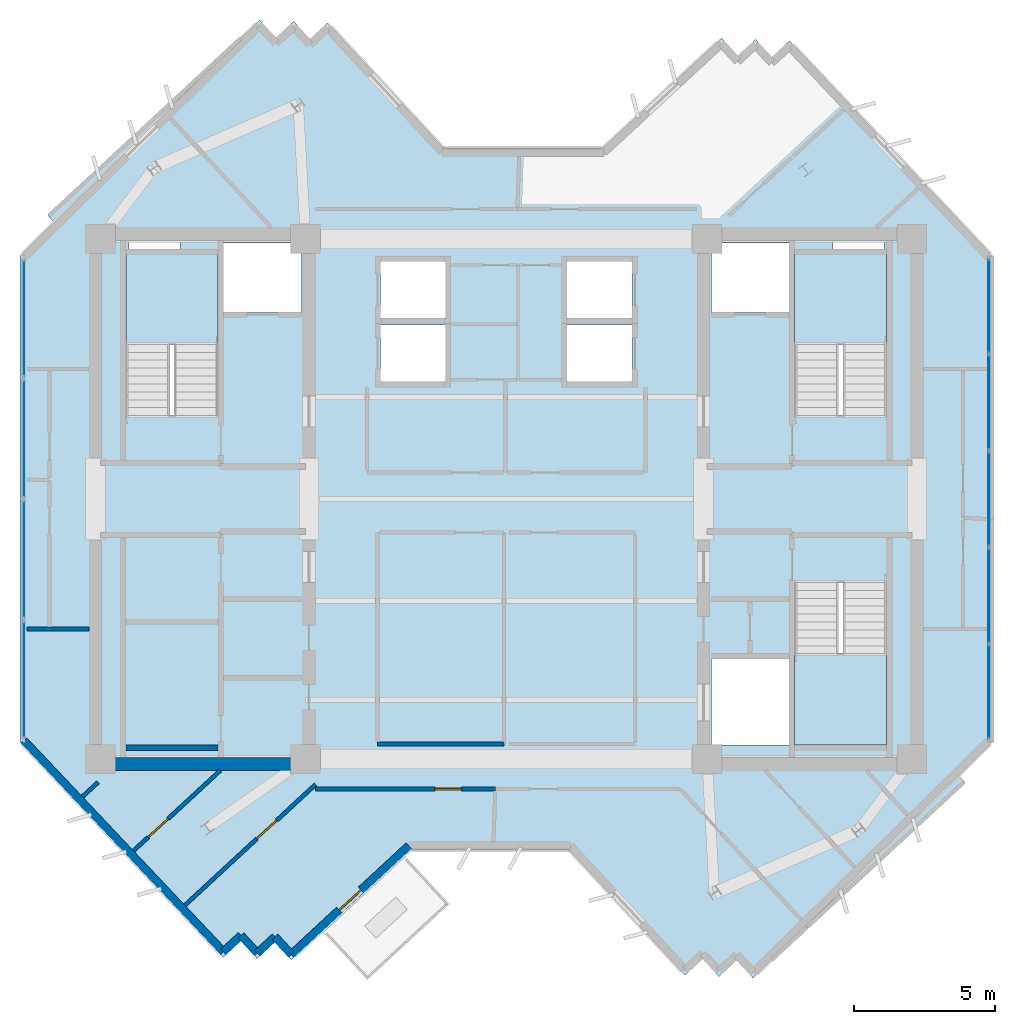
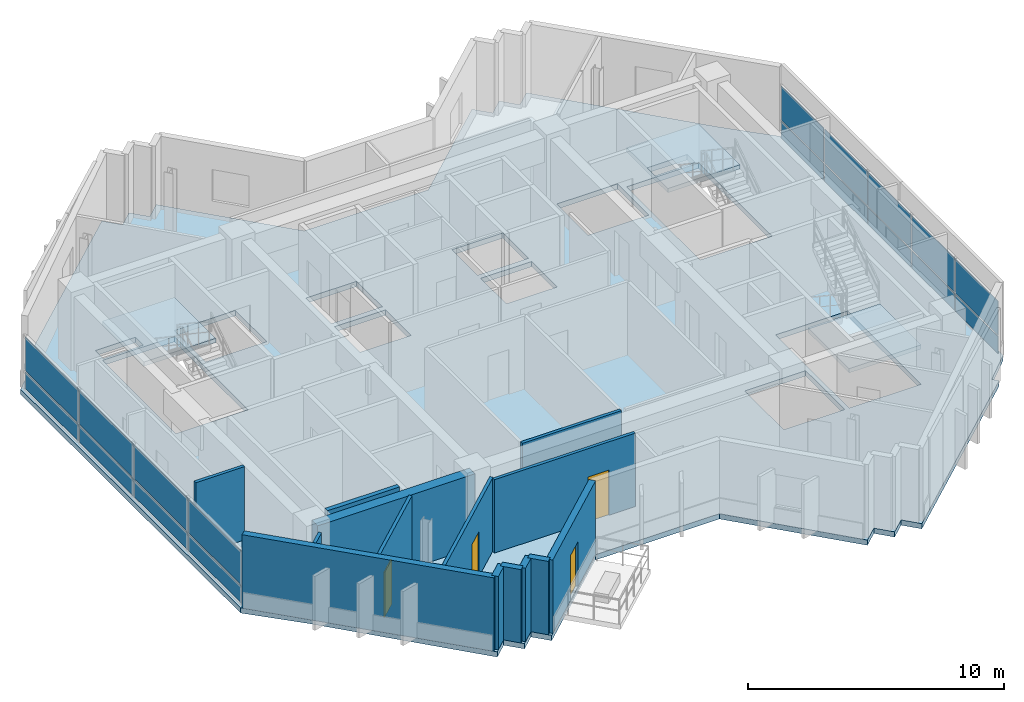
# One storey, part 3 of 9: 18 plates, 14 walls, 4 doors, 4 slabs, 4 openings, 5 elements without a shape of their own.
"""IFC4 building model written with IfcOpenShell, lengths in metres."""

from ifc_helpers import new_model, si_unit, direction, frame, frame_2d, origin, origin_2d, place, context, subcontext, project, spatial, polyline, rectangle, outline, extrude, source, transform, mapped, material, layer, layer_set, type_object, element, fill, aggregate, save


model = new_model("IFC4")

# Units and contexts
model_context = context("Model", 3, precision=1e-05, world=origin(), true_north=direction((0.0, 1.0)))
body_context = subcontext(model_context, "Body", "Model", "MODEL_VIEW")
ifc_project = project(units=[si_unit("LENGTHUNIT", "METRE"), si_unit("AREAUNIT", "SQUARE_METRE"), si_unit("VOLUMEUNIT", "CUBIC_METRE"), si_unit("PLANEANGLEUNIT", "RADIAN"), si_unit("MASSUNIT", "GRAM", prefix="KILO")], contexts=[model_context])

# Site, building, storey
site_placement = place(None, origin())
site = spatial("IfcSite", under=ifc_project, at=site_placement, CompositionType="ELEMENT")
building_placement = place(site_placement, origin())
building = spatial("IfcBuilding", under=site, at=building_placement, Name="Zahravan Cultural Tower", CompositionType="ELEMENT")
storey_placement = place(building_placement, frame((0.0, 0.0, 291.60009765625)))
storey = spatial("IfcBuildingStorey", under=building, at=storey_placement, Name="L70", CompositionType="ELEMENT", Elevation=291.60009765625)

# Stair, slab
ifc_material_1 = material(Name="Concrete C45/55", Category="concrete")
stair_type = type_object("IfcStairType", Name="STR-DL-1550-375", PredefinedType="HALF_TURN_STAIR", material=ifc_material_1)
stair_1_placement = place(storey_placement, origin())
stair_1 = element("IfcStair", 1, at=stair_1_placement, inside=storey, type_object=stair_type, Name="L70 West Core North Exit Stair ST-W1", PredefinedType="HALF_TURN_STAIR")
ifc_layer_1 = layer(ifc_material_1, 0.199951171875)
ifc_layer_set_1 = layer_set([ifc_layer_1], Name="Concrete C45/55")
slab_type_1 = type_object("IfcSlabType", Name="SL-STAIR-LND200", PredefinedType="LANDING", material=ifc_layer_set_1)
slab_1_placement = place(storey_placement, frame((0.0, 0.0, 1.6748046875)))
slab_1 = element("IfcSlab", 2, at=slab_1_placement, type_object=slab_type_1, Name="ST-W1 landing 1", PredefinedType="LANDING", context=body_context, shape_type="SweptSolid", body=[
    extrude(outline(polyline([(25.800048828125, 32.469970703125), (25.800048828125, 35.699951171875), (22.550048828125, 35.699951171875), (22.550048828125, 32.469970703125), (25.800048828125, 32.469970703125)])), origin(), (0.0, 0.0, 1.0), 0.2001953125),
])
aggregate(stair_1, [slab_1])

stair_2_placement = place(storey_placement, origin())
stair_2 = element("IfcStair", 3, at=stair_2_placement, inside=storey, type_object=stair_type, Name="L70 East Core North Exit Stair ST-E1", PredefinedType="HALF_TURN_STAIR")
slab_2_placement = place(storey_placement, frame((0.0, 0.0, 1.6748046875)))
slab_2 = element("IfcSlab", 4, at=slab_2_placement, type_object=slab_type_1, Name="ST-E1 landing 1", PredefinedType="LANDING", context=body_context, shape_type="SweptSolid", body=[
    extrude(outline(polyline([(49.449951171875, 32.469970703125), (49.449951171875, 35.699951171875), (46.199951171875, 35.699951171875), (46.199951171875, 32.469970703125), (49.449951171875, 32.469970703125)])), origin(), (0.0, 0.0, 1.0), 0.2001953125),
])
aggregate(stair_2, [slab_2])

stair_3_placement = place(storey_placement, origin())
stair_3 = element("IfcStair", 5, at=stair_3_placement, inside=storey, type_object=stair_type, Name="L70 East Core South Exit Stair ST-E2", PredefinedType="HALF_TURN_STAIR")
slab_3_placement = place(storey_placement, frame((0.0, 0.0, 1.6748046875)))
slab_3 = element("IfcSlab", 6, at=slab_3_placement, type_object=slab_type_1, Name="ST-E2 landing 1", PredefinedType="LANDING", context=body_context, shape_type="SweptSolid", body=[
    extrude(outline(polyline([(46.199951171875, 21.530029296875), (46.199951171875, 18.300048828125), (49.449951171875, 18.300048828125), (49.449951171875, 21.530029296875), (46.199951171875, 21.530029296875)])), origin(), (0.0, 0.0, 1.0), 0.2001953125),
])
aggregate(stair_3, [slab_3])

# Slab
ifc_material_2 = material(Name="Concrete C40/50", Category="concrete")
ifc_layer_2 = layer(ifc_material_2, 0.25)
ifc_layer_set_2 = layer_set([ifc_layer_2], Name="Concrete C40/50")
slab_type_2 = type_object("IfcSlabType", Name="SL-TYP-250", PredefinedType="FLOOR", material=ifc_layer_set_2)
slab_4_placement = place(storey_placement, frame((0.0, 0.0, -0.25)))
element("IfcSlab", 7, at=slab_4_placement, inside=storey, type_object=slab_type_2, Name="L70 Structural Floor Slab", PredefinedType="FLOOR", context=body_context, shape_type="SweptSolid", body=[
    extrude(outline(polyline([(39.391845703125, 39.39990234375), (33.79345703125, 39.39990234375), (29.6796875, 43.847900390625), (29.0556640625, 43.270751953125), (28.478515625, 43.894775390625), (27.8544921875, 43.3173828125), (27.27734375, 43.94140625), (19.789306640625, 37.015625), (19.994140625, 36.794189453125), (18.800048828125, 35.60009765625), (18.800048828125, 18.39990234375), (20.731689453125, 16.46826171875), (25.984375, 10.789306640625), (26.6083984375, 11.366455078125), (27.185546875, 10.742431640625), (27.8095703125, 11.319580078125), (28.38671875, 10.695556640625), (32.608154296875, 14.60009765625), (38.20654296875, 14.60009765625), (42.3203125, 10.152099609375), (42.9443359375, 10.729248046875), (43.521484375, 10.105224609375), (44.1455078125, 10.6826171875), (44.72265625, 10.05859375), (52.210693359375, 16.984375), (52.005859375, 17.205810546875), (53.199951171875, 18.39990234375), (53.199951171875, 35.60009765625), (51.268310546875, 37.53173828125), (46.015625, 43.210693359375), (45.3916015625, 42.633544921875), (44.814453125, 43.257568359375), (44.1904296875, 42.680419921875), (43.61328125, 43.304443359375), (39.391845703125, 39.39990234375)]), holes=[polyline([(22.550048828125, 29.949951171875), (22.550048828125, 35.699951171875), (25.800048828125, 35.699951171875), (25.800048828125, 29.949951171875), (22.550048828125, 29.949951171875)]), polyline([(46.199951171875, 29.949951171875), (46.199951171875, 35.699951171875), (49.449951171875, 35.699951171875), (49.449951171875, 29.949951171875), (46.199951171875, 29.949951171875)]), polyline([(46.199951171875, 18.300048828125), (46.199951171875, 24.050048828125), (49.449951171875, 24.050048828125), (49.449951171875, 18.300048828125), (46.199951171875, 18.300048828125)]), polyline([(26.0, 33.60009765625), (26.0, 36.050048828125), (28.75, 36.050048828125), (28.75, 33.60009765625), (26.0, 33.60009765625)]), polyline([(43.25, 33.60009765625), (43.25, 36.050048828125), (46.0, 36.050048828125), (46.0, 33.60009765625), (43.25, 33.60009765625)]), polyline([(43.25, 18.300048828125), (43.25, 21.35009765625), (46.0, 21.35009765625), (46.0, 18.300048828125), (43.25, 18.300048828125)]), polyline([(31.550048828125, 33.39990234375), (31.550048828125, 35.39990234375), (33.85009765625, 35.39990234375), (33.85009765625, 33.39990234375), (31.550048828125, 33.39990234375)]), polyline([(31.550048828125, 31.14990234375), (31.550048828125, 33.14990234375), (33.85009765625, 33.14990234375), (33.85009765625, 31.14990234375), (31.550048828125, 31.14990234375)]), polyline([(38.14990234375, 33.39990234375), (38.14990234375, 35.39990234375), (40.449951171875, 35.39990234375), (40.449951171875, 33.39990234375), (38.14990234375, 33.39990234375)]), polyline([(38.14990234375, 31.14990234375), (38.14990234375, 33.14990234375), (40.449951171875, 33.14990234375), (40.449951171875, 31.14990234375), (38.14990234375, 31.14990234375)]), polyline([(22.64990234375, 35.800048828125), (22.64990234375, 36.419921875), (24.449951171875, 36.419921875), (24.449951171875, 35.800048828125), (22.64990234375, 35.800048828125)]), polyline([(47.550048828125, 35.800048828125), (47.550048828125, 36.419921875), (49.35009765625, 36.419921875), (49.35009765625, 35.800048828125), (47.550048828125, 35.800048828125)])]), origin(), (0.0, 0.0, 1.0), 0.25),
])

# Curtain wall, plates
ifc_material_3 = material(Name="Anodised bronze-aluminium mullion", Category="aluminium")
ifc_layer_3 = layer(ifc_material_3, 0.1650390625)
ifc_layer_set_3 = layer_set([ifc_layer_3], Name="Anodised bronze-aluminium mullion")
curtain_wall_type_1 = type_object("IfcCurtainWallType", Name="CW-SYS-4", PredefinedType="USERDEFINED", material=ifc_layer_set_3)
curtain_wall_1_placement = place(storey_placement, origin())
curtain_wall_1 = element("IfcCurtainWall", 8, at=curtain_wall_1_placement, inside=storey, type_object=curtain_wall_type_1, Name="L70 Recessed Curtain Wall CW-4.1", ObjectType="RECESSED GLAZING", PredefinedType="USERDEFINED")
ifc_material_4 = material(Name="Low-E solar-control double glazing", Category="glass")
ifc_layer_4 = layer(ifc_material_4, 0.02587890625)
ifc_layer_set_4 = layer_set([ifc_layer_4], Name="Low-E solar-control double glazing")
plate_type_1 = type_object("IfcPlateType", Name="CWP-CW-4", PredefinedType="CURTAIN_PANEL", material=ifc_layer_set_4)
shared_shape_1 = source(origin(), body_context, "Body", "SweptSolid", [
    extrude(rectangle(XDim=3.3193359375, YDim=0.02587890625, at=origin_2d()), origin(), (0.0, 0.0, 1.0), 0.802490234375),
])
plate_1_placement = place(storey_placement, frame((53.06005859375, 33.8173828125, 0.06494140625), z_axis=(0.0, 0.0, 1.0), x_axis=(0.0, -1.0, 0.0)))
plate_1 = element("IfcPlate", 9, at=plate_1_placement, type_object=plate_type_1, Name="CW-4 panel 1.1", PredefinedType="CURTAIN_PANEL", context=body_context, shape_type="MappedRepresentation", body=[
    mapped(shared_shape_1, transform((0.0, 0.0, 0.0), x_axis=(1.0, 0.0, 0.0), y_axis=(0.0, 1.0, 0.0), z_axis=(0.0, 0.0, 1.0), scale=1.0)),
])
plate_2_placement = place(storey_placement, frame((53.06005859375, 20.1826171875, 0.06494140625), z_axis=(0.0, 0.0, 1.0), x_axis=(0.0, -1.0, 0.0)))
plate_2 = element("IfcPlate", 10, at=plate_2_placement, type_object=plate_type_1, Name="CW-4 panel 5.1", PredefinedType="CURTAIN_PANEL", context=body_context, shape_type="MappedRepresentation", body=[
    mapped(shared_shape_1, transform((0.0, 0.0, 0.0), x_axis=(1.0, 0.0, 0.0), y_axis=(0.0, 1.0, 0.0), z_axis=(0.0, 0.0, 1.0), scale=1.0)),
])
shared_shape_2 = source(origin(), body_context, "Body", "SweptSolid", [
    extrude(rectangle(XDim=3.3193359375, YDim=0.02587890625, at=origin_2d()), origin(), (0.0, 0.0, 1.0), 1.62255859375),
])
plate_3_placement = place(storey_placement, frame((53.06005859375, 33.8173828125, 0.932373046875), z_axis=(0.0, 0.0, 1.0), x_axis=(0.0, -1.0, 0.0)))
plate_3 = element("IfcPlate", 11, at=plate_3_placement, type_object=plate_type_1, Name="CW-4 panel 1.2", PredefinedType="CURTAIN_PANEL", context=body_context, shape_type="MappedRepresentation", body=[
    mapped(shared_shape_2, transform((0.0, 0.0, 0.0), x_axis=(1.0, 0.0, 0.0), y_axis=(0.0, 1.0, 0.0), z_axis=(0.0, 0.0, 1.0), scale=1.0)),
])
plate_4_placement = place(storey_placement, frame((53.06005859375, 20.1826171875, 0.932373046875), z_axis=(0.0, 0.0, 1.0), x_axis=(0.0, -1.0, 0.0)))
plate_4 = element("IfcPlate", 12, at=plate_4_placement, type_object=plate_type_1, Name="CW-4 panel 5.2", PredefinedType="CURTAIN_PANEL", context=body_context, shape_type="MappedRepresentation", body=[
    mapped(shared_shape_2, transform((0.0, 0.0, 0.0), x_axis=(1.0, 0.0, 0.0), y_axis=(0.0, 1.0, 0.0), z_axis=(0.0, 0.0, 1.0), scale=1.0)),
])
shared_shape_3 = source(origin(), body_context, "Body", "SweptSolid", [
    extrude(rectangle(XDim=3.351806640625, YDim=0.02587890625, at=origin_2d()), origin(), (0.0, 0.0, 1.0), 0.802490234375),
])
plate_5_placement = place(storey_placement, frame((53.06005859375, 30.416748046875, 0.06494140625), z_axis=(0.0, 0.0, 1.0), x_axis=(0.0, -1.0, 0.0)))
plate_5 = element("IfcPlate", 13, at=plate_5_placement, type_object=plate_type_1, Name="CW-4 panel 2.1", PredefinedType="CURTAIN_PANEL", context=body_context, shape_type="MappedRepresentation", body=[
    mapped(shared_shape_3, transform((0.0, 0.0, 0.0), x_axis=(1.0, 0.0, 0.0), y_axis=(0.0, 1.0, 0.0), z_axis=(0.0, 0.0, 1.0), scale=1.0)),
])
plate_6_placement = place(storey_placement, frame((53.06005859375, 27.0, 0.06494140625), z_axis=(0.0, 0.0, 1.0), x_axis=(0.0, -1.0, 0.0)))
plate_6 = element("IfcPlate", 14, at=plate_6_placement, type_object=plate_type_1, Name="CW-4 panel 3.1", PredefinedType="CURTAIN_PANEL", context=body_context, shape_type="MappedRepresentation", body=[
    mapped(shared_shape_3, transform((0.0, 0.0, 0.0), x_axis=(1.0, 0.0, 0.0), y_axis=(0.0, 1.0, 0.0), z_axis=(0.0, 0.0, 1.0), scale=1.0)),
])
plate_7_placement = place(storey_placement, frame((53.06005859375, 23.583251953125, 0.06494140625), z_axis=(0.0, 0.0, 1.0), x_axis=(0.0, -1.0, 0.0)))
plate_7 = element("IfcPlate", 15, at=plate_7_placement, type_object=plate_type_1, Name="CW-4 panel 4.1", PredefinedType="CURTAIN_PANEL", context=body_context, shape_type="MappedRepresentation", body=[
    mapped(shared_shape_3, transform((0.0, 0.0, 0.0), x_axis=(1.0, 0.0, 0.0), y_axis=(0.0, 1.0, 0.0), z_axis=(0.0, 0.0, 1.0), scale=1.0)),
])
shared_shape_4 = source(origin(), body_context, "Body", "SweptSolid", [
    extrude(rectangle(XDim=3.351806640625, YDim=0.02587890625, at=origin_2d()), origin(), (0.0, 0.0, 1.0), 1.62255859375),
])
plate_8_placement = place(storey_placement, frame((53.06005859375, 30.416748046875, 0.932373046875), z_axis=(0.0, 0.0, 1.0), x_axis=(0.0, -1.0, 0.0)))
plate_8 = element("IfcPlate", 16, at=plate_8_placement, type_object=plate_type_1, Name="CW-4 panel 2.2", PredefinedType="CURTAIN_PANEL", context=body_context, shape_type="MappedRepresentation", body=[
    mapped(shared_shape_4, transform((0.0, 0.0, 0.0), x_axis=(1.0, 0.0, 0.0), y_axis=(0.0, 1.0, 0.0), z_axis=(0.0, 0.0, 1.0), scale=1.0)),
])
plate_9_placement = place(storey_placement, frame((53.06005859375, 27.0, 0.932373046875), z_axis=(0.0, 0.0, 1.0), x_axis=(0.0, -1.0, 0.0)))
plate_9 = element("IfcPlate", 17, at=plate_9_placement, type_object=plate_type_1, Name="CW-4 panel 3.2", PredefinedType="CURTAIN_PANEL", context=body_context, shape_type="MappedRepresentation", body=[
    mapped(shared_shape_4, transform((0.0, 0.0, 0.0), x_axis=(1.0, 0.0, 0.0), y_axis=(0.0, 1.0, 0.0), z_axis=(0.0, 0.0, 1.0), scale=1.0)),
])
plate_10_placement = place(storey_placement, frame((53.06005859375, 23.583251953125, 0.932373046875), z_axis=(0.0, 0.0, 1.0), x_axis=(0.0, -1.0, 0.0)))
plate_10 = element("IfcPlate", 18, at=plate_10_placement, type_object=plate_type_1, Name="CW-4 panel 4.2", PredefinedType="CURTAIN_PANEL", context=body_context, shape_type="MappedRepresentation", body=[
    mapped(shared_shape_4, transform((0.0, 0.0, 0.0), x_axis=(1.0, 0.0, 0.0), y_axis=(0.0, 1.0, 0.0), z_axis=(0.0, 0.0, 1.0), scale=1.0)),
])
aggregate(curtain_wall_1, [plate_1, plate_3, plate_5, plate_8, plate_6, plate_9, plate_7, plate_10, plate_2, plate_4])

ifc_layer_5 = layer(ifc_material_3, 0.219970703125)
ifc_layer_set_5 = layer_set([ifc_layer_5], Name="Anodised bronze-aluminium mullion")
curtain_wall_type_2 = type_object("IfcCurtainWallType", Name="CW-SYS-1", PredefinedType="USERDEFINED", material=ifc_layer_set_5)
curtain_wall_2_placement = place(storey_placement, origin())
curtain_wall_2 = element("IfcCurtainWall", 19, at=curtain_wall_2_placement, inside=storey, type_object=curtain_wall_type_2, Name="L70 Recessed Curtain Wall CW-1.2", ObjectType="RECESSED GLAZING", PredefinedType="USERDEFINED")
ifc_layer_6 = layer(ifc_material_4, 0.031982421875)
ifc_layer_set_6 = layer_set([ifc_layer_6], Name="Low-E solar-control double glazing")
plate_type_2 = type_object("IfcPlateType", Name="CWP-CW-1", PredefinedType="CURTAIN_PANEL", material=ifc_layer_set_6)
shared_shape_5 = source(origin(), body_context, "Body", "SweptSolid", [
    extrude(rectangle(XDim=4.15087890625, YDim=0.031982421875, at=origin_2d()), origin(), (0.0, 0.0, 1.0), 0.780029296875),
])
plate_11_placement = place(storey_placement, frame((18.93994140625, 20.613525390625, 0.080078125), z_axis=(0.0, 0.0, 1.0), x_axis=(0.0, 1.0, 0.0)))
plate_11 = element("IfcPlate", 20, at=plate_11_placement, type_object=plate_type_2, Name="CW-1 panel 1.1", PredefinedType="CURTAIN_PANEL", context=body_context, shape_type="MappedRepresentation", body=[
    mapped(shared_shape_5, transform((0.0, 0.0, 0.0), x_axis=(1.0, 0.0, 0.0), y_axis=(0.0, 1.0, 0.0), z_axis=(0.0, 0.0, 1.0), scale=1.0)),
])
plate_12_placement = place(storey_placement, frame((18.93994140625, 33.386474609375, 0.080078125), z_axis=(0.0, 0.0, 1.0), x_axis=(0.0, 1.0, 0.0)))
plate_12 = element("IfcPlate", 21, at=plate_12_placement, type_object=plate_type_2, Name="CW-1 panel 4.1", PredefinedType="CURTAIN_PANEL", context=body_context, shape_type="MappedRepresentation", body=[
    mapped(shared_shape_5, transform((0.0, 0.0, 0.0), x_axis=(1.0, 0.0, 0.0), y_axis=(0.0, 1.0, 0.0), z_axis=(0.0, 0.0, 1.0), scale=1.0)),
])
shared_shape_6 = source(origin(), body_context, "Body", "SweptSolid", [
    extrude(rectangle(XDim=4.15087890625, YDim=0.031982421875, at=origin_2d()), origin(), (0.0, 0.0, 1.0), 1.60009765625),
])
plate_13_placement = place(storey_placement, frame((18.93994140625, 20.613525390625, 0.93994140625), z_axis=(0.0, 0.0, 1.0), x_axis=(0.0, 1.0, 0.0)))
plate_13 = element("IfcPlate", 22, at=plate_13_placement, type_object=plate_type_2, Name="CW-1 panel 1.2", PredefinedType="CURTAIN_PANEL", context=body_context, shape_type="MappedRepresentation", body=[
    mapped(shared_shape_6, transform((0.0, 0.0, 0.0), x_axis=(1.0, 0.0, 0.0), y_axis=(0.0, 1.0, 0.0), z_axis=(0.0, 0.0, 1.0), scale=1.0)),
])
plate_14_placement = place(storey_placement, frame((18.93994140625, 33.386474609375, 0.93994140625), z_axis=(0.0, 0.0, 1.0), x_axis=(0.0, 1.0, 0.0)))
plate_14 = element("IfcPlate", 23, at=plate_14_placement, type_object=plate_type_2, Name="CW-1 panel 4.2", PredefinedType="CURTAIN_PANEL", context=body_context, shape_type="MappedRepresentation", body=[
    mapped(shared_shape_6, transform((0.0, 0.0, 0.0), x_axis=(1.0, 0.0, 0.0), y_axis=(0.0, 1.0, 0.0), z_axis=(0.0, 0.0, 1.0), scale=1.0)),
])
shared_shape_7 = source(origin(), body_context, "Body", "SweptSolid", [
    extrude(rectangle(XDim=4.19091796875, YDim=0.031982421875, at=origin_2d()), origin(), (0.0, 0.0, 1.0), 0.780029296875),
])
plate_15_placement = place(storey_placement, frame((18.93994140625, 24.864501953125, 0.080078125), z_axis=(0.0, 0.0, 1.0), x_axis=(0.0, 1.0, 0.0)))
plate_15 = element("IfcPlate", 24, at=plate_15_placement, type_object=plate_type_2, Name="CW-1 panel 2.1", PredefinedType="CURTAIN_PANEL", context=body_context, shape_type="MappedRepresentation", body=[
    mapped(shared_shape_7, transform((0.0, 0.0, 0.0), x_axis=(1.0, 0.0, 0.0), y_axis=(0.0, 1.0, 0.0), z_axis=(0.0, 0.0, 1.0), scale=1.0)),
])
plate_16_placement = place(storey_placement, frame((18.93994140625, 29.135498046875, 0.080078125), z_axis=(0.0, 0.0, 1.0), x_axis=(0.0, 1.0, 0.0)))
plate_16 = element("IfcPlate", 25, at=plate_16_placement, type_object=plate_type_2, Name="CW-1 panel 3.1", PredefinedType="CURTAIN_PANEL", context=body_context, shape_type="MappedRepresentation", body=[
    mapped(shared_shape_7, transform((0.0, 0.0, 0.0), x_axis=(1.0, 0.0, 0.0), y_axis=(0.0, 1.0, 0.0), z_axis=(0.0, 0.0, 1.0), scale=1.0)),
])
shared_shape_8 = source(origin(), body_context, "Body", "SweptSolid", [
    extrude(rectangle(XDim=4.19091796875, YDim=0.031982421875, at=origin_2d()), origin(), (0.0, 0.0, 1.0), 1.60009765625),
])
plate_17_placement = place(storey_placement, frame((18.93994140625, 24.864501953125, 0.93994140625), z_axis=(0.0, 0.0, 1.0), x_axis=(0.0, 1.0, 0.0)))
plate_17 = element("IfcPlate", 26, at=plate_17_placement, type_object=plate_type_2, Name="CW-1 panel 2.2", PredefinedType="CURTAIN_PANEL", context=body_context, shape_type="MappedRepresentation", body=[
    mapped(shared_shape_8, transform((0.0, 0.0, 0.0), x_axis=(1.0, 0.0, 0.0), y_axis=(0.0, 1.0, 0.0), z_axis=(0.0, 0.0, 1.0), scale=1.0)),
])
plate_18_placement = place(storey_placement, frame((18.93994140625, 29.135498046875, 0.93994140625), z_axis=(0.0, 0.0, 1.0), x_axis=(0.0, 1.0, 0.0)))
plate_18 = element("IfcPlate", 27, at=plate_18_placement, type_object=plate_type_2, Name="CW-1 panel 3.2", PredefinedType="CURTAIN_PANEL", context=body_context, shape_type="MappedRepresentation", body=[
    mapped(shared_shape_8, transform((0.0, 0.0, 0.0), x_axis=(1.0, 0.0, 0.0), y_axis=(0.0, 1.0, 0.0), z_axis=(0.0, 0.0, 1.0), scale=1.0)),
])
aggregate(curtain_wall_2, [plate_11, plate_13, plate_15, plate_17, plate_16, plate_18, plate_12, plate_14])

# Wall, opening, door
ifc_material_5 = material(Name="Precast concrete C40/50", Category="concrete")
ifc_layer_7 = layer(ifc_material_5, 0.280029296875)
ifc_layer_set_7 = layer_set([ifc_layer_7], Name="Precast concrete C40/50")
wall_type_1 = type_object("IfcWallType", Name="EW-TC-280", PredefinedType="SOLIDWALL", material=ifc_layer_set_7)
wall_1_placement = place(storey_placement, frame((32.55322265625, 14.739990234375, 0.0), z_axis=(0.0, 0.0, 1.0), x_axis=(-0.734109106874, -0.679031530346, 0.0)))
wall_1 = element("IfcWall", 28, at=wall_1_placement, inside=storey, type_object=wall_type_1, Name="L70 Exterior Masonry Frame Wall 14", PredefinedType="SOLIDWALL", context=body_context, shape_type="SweptSolid", body=[
    extrude(rectangle(XDim=5.6650390625, YDim=0.280029296875, at=frame_2d((2.83251953125, 0.0))), origin(), (0.0, 0.0, 1.0), 3.5),
])
opening_1_placement = place(wall_1_placement, frame((2.306884765625, 0.0, 0.0)))
opening_1 = element("IfcOpeningElement", 29, at=opening_1_placement, cuts=wall_1, Name="Opening D-L70-TR-SW", PredefinedType="OPENING", context=body_context, shape_type="SweptSolid", body=[
    extrude(rectangle(XDim=1.050048828125, YDim=2.14990234375, at=frame_2d((0.52490234375, 1.074951171875))), frame((0.0, 0.14990234375, 0.0), z_axis=(0.0, -1.0, 0.0), x_axis=(1.0, 0.0, 0.0)), (0.0, 0.0, 1.0), 0.300048828125),
])
door_type_1 = type_object("IfcDoorType", Name="DR-TERR-1050", OperationType="NOTDEFINED", PredefinedType="DOOR", material=ifc_material_3)
shared_shape_9 = source(origin(), body_context, "Body", "SweptSolid", [
    extrude(rectangle(XDim=1.050048828125, YDim=2.14990234375, at=frame_2d((0.52490234375, 1.074951171875))), frame((0.0, 0.02490234375, 0.0), z_axis=(0.0, -1.0, 0.0), x_axis=(1.0, 0.0, 0.0)), (0.0, 0.0, 1.0), 0.050048828125),
])
door_1_placement = place(opening_1_placement, origin())
door_1 = element("IfcDoor", 30, at=door_1_placement, inside=storey, type_object=door_type_1, Name="L70 Terrace Access Door SW", OperationType="SINGLE_SWING_LEFT", OverallHeight=2.14990234375, OverallWidth=1.050048828125, PredefinedType="DOOR", context=body_context, shape_type="MappedRepresentation", body=[
    mapped(shared_shape_9, transform((0.0, 0.0, 0.0), x_axis=(1.0, 0.0, 0.0), y_axis=(0.0, 1.0, 0.0), z_axis=(0.0, 0.0, 1.0), scale=1.0)),
])
fill(opening_1, door_1)

ifc_material_6 = material(Name="Gypsum plasterboard partition")
ifc_layer_8 = layer(ifc_material_6, 0.139892578125)
ifc_layer_set_8 = layer_set([ifc_layer_8], Name="Gypsum plasterboard partition")
wall_type_2 = type_object("IfcWallType", Name="W-PART-140", PredefinedType="PARTITIONING", material=ifc_layer_set_8)
wall_2_placement = place(storey_placement, frame((25.880615234375, 17.39501953125, 0.0), z_axis=(0.0, 0.0, 1.0), x_axis=(-0.734127876216, -0.679011238024, 0.0)))
wall_2 = element("IfcWall", 31, at=wall_2_placement, inside=storey, type_object=wall_type_2, Name="L70 Interior Wall 050", PredefinedType="PARTITIONING", context=body_context, shape_type="SweptSolid", body=[
    extrude(rectangle(XDim=4.172607421875, YDim=0.139892578125, at=frame_2d((2.08642578125, 0.0))), origin(), (0.0, 0.0, 1.0), 3.5),
])
opening_2_placement = place(wall_2_placement, frame((2.513671875, 0.0, 0.0)))
opening_2 = element("IfcOpeningElement", 32, at=opening_2_placement, cuts=wall_2, Name="Opening D-L70-33", PredefinedType="OPENING", context=body_context, shape_type="SweptSolid", body=[
    extrude(rectangle(XDim=0.949951171875, YDim=2.14990234375, at=frame_2d((0.47509765625, 1.074951171875))), frame((0.0, 0.079833984375, 0.0), z_axis=(0.0, -1.0, 0.0), x_axis=(1.0, 0.0, 0.0)), (0.0, 0.0, 1.0), 0.159912109375),
])
door_type_2 = type_object("IfcDoorType", Name="DR-ROOM-950", OperationType="NOTDEFINED", PredefinedType="DOOR", material=ifc_material_3)
shared_shape_10 = source(origin(), body_context, "Body", "SweptSolid", [
    extrude(rectangle(XDim=0.949951171875, YDim=2.14990234375, at=frame_2d((0.47509765625, 1.074951171875))), frame((0.0, 0.02490234375, 0.0), z_axis=(0.0, -1.0, 0.0), x_axis=(1.0, 0.0, 0.0)), (0.0, 0.0, 1.0), 0.050048828125),
])
door_2_placement = place(opening_2_placement, origin())
door_2 = element("IfcDoor", 33, at=door_2_placement, inside=storey, type_object=door_type_2, Name="L70 Door D-L70-33", OperationType="SINGLE_SWING_RIGHT", OverallHeight=2.14990234375, OverallWidth=0.949951171875, PredefinedType="DOOR", context=body_context, shape_type="MappedRepresentation", body=[
    mapped(shared_shape_10, transform((0.0, 0.0, 0.0), x_axis=(1.0, 0.0, 0.0), y_axis=(0.0, 1.0, 0.0), z_axis=(0.0, 0.0, 1.0), scale=1.0)),
])
fill(opening_2, door_2)

wall_3_placement = place(storey_placement, frame((29.25, 16.90185546875, 0.0), z_axis=(0.0, 0.0, 1.0), x_axis=(-0.734113479195, -0.679026803347, 0.0)))
wall_3 = element("IfcWall", 34, at=wall_3_placement, inside=storey, type_object=wall_type_2, Name="L70 Interior Wall 055", PredefinedType="PARTITIONING", context=body_context, shape_type="SweptSolid", body=[
    extrude(rectangle(XDim=6.284423828125, YDim=0.139892578125, at=frame_2d((3.14208984375, 0.0))), origin(), (0.0, 0.0, 1.0), 3.5),
])
opening_3_placement = place(wall_3_placement, frame((1.8671875, 0.0, 0.0)))
opening_3 = element("IfcOpeningElement", 35, at=opening_3_placement, cuts=wall_3, Name="Opening D-L70-30", PredefinedType="OPENING", context=body_context, shape_type="SweptSolid", body=[
    extrude(rectangle(XDim=0.949951171875, YDim=2.14990234375, at=frame_2d((0.47509765625, 1.074951171875))), frame((0.0, 0.079833984375, 0.0), z_axis=(0.0, -1.0, 0.0), x_axis=(1.0, 0.0, 0.0)), (0.0, 0.0, 1.0), 0.159912109375),
])
door_3_placement = place(opening_3_placement, origin())
door_3 = element("IfcDoor", 36, at=door_3_placement, inside=storey, type_object=door_type_2, Name="L70 Door D-L70-30", OperationType="SINGLE_SWING_LEFT", OverallHeight=2.14990234375, OverallWidth=0.949951171875, PredefinedType="DOOR", context=body_context, shape_type="MappedRepresentation", body=[
    mapped(shared_shape_10, transform((0.0, 0.0, 0.0), x_axis=(1.0, 0.0, 0.0), y_axis=(0.0, 1.0, 0.0), z_axis=(0.0, 0.0, 1.0), scale=1.0)),
])
fill(opening_3, door_3)

wall_4_placement = place(storey_placement, frame((29.255859375, 16.739990234375, 0.0), z_axis=(0.0, 0.0, 1.0), x_axis=(1.0, 0.0, 0.0)))
wall_4 = element("IfcWall", 37, at=wall_4_placement, inside=storey, type_object=wall_type_2, Name="L70 Interior Wall 088", PredefinedType="PARTITIONING", context=body_context, shape_type="SweptSolid", body=[
    extrude(rectangle(XDim=6.35400390625, YDim=0.139892578125, at=frame_2d((3.177001953125, 0.0))), origin(), (0.0, 0.0, 1.0), 3.5),
])
opening_4_placement = place(wall_4_placement, frame((4.215087890625, 0.0, 0.0)))
opening_4 = element("IfcOpeningElement", 38, at=opening_4_placement, cuts=wall_4, Name="Opening D-L70-25", PredefinedType="OPENING", context=body_context, shape_type="SweptSolid", body=[
    extrude(rectangle(XDim=0.949951171875, YDim=2.14990234375, at=frame_2d((0.47509765625, 1.074951171875))), frame((0.0, 0.079833984375, 0.0), z_axis=(0.0, -1.0, 0.0), x_axis=(1.0, 0.0, 0.0)), (0.0, 0.0, 1.0), 0.159912109375),
])
door_4_placement = place(opening_4_placement, origin())
door_4 = element("IfcDoor", 39, at=door_4_placement, inside=storey, type_object=door_type_2, Name="L70 Door D-L70-25", OperationType="SINGLE_SWING_RIGHT", OverallHeight=2.14990234375, OverallWidth=0.949951171875, PredefinedType="DOOR", context=body_context, shape_type="MappedRepresentation", body=[
    mapped(shared_shape_10, transform((0.0, 0.0, 0.0), x_axis=(1.0, 0.0, 0.0), y_axis=(0.0, 1.0, 0.0), z_axis=(0.0, 0.0, 1.0), scale=1.0)),
])
fill(opening_4, door_4)

# Walls
ifc_material_7 = material(Name="Concrete C50/60", Category="concrete")
ifc_layer_9 = layer(ifc_material_7, 0.449951171875)
ifc_layer_set_9 = layer_set([ifc_layer_9], Name="Concrete C50/60")
wall_type_3 = type_object("IfcWallType", Name="CW-SHEAR-450-C50", PredefinedType="SHEAR", material=ifc_layer_set_9)
shared_shape_11 = source(origin(), body_context, "Body", "SweptSolid", [
    extrude(rectangle(XDim=7.10009765625, YDim=0.449951171875, at=frame_2d((3.550048828125, 0.0))), origin(), (0.0, 0.0, 1.0), 3.5),
])
wall_5_placement = place(storey_placement, frame((21.699951171875, 17.625, 0.0), z_axis=(0.0, 0.0, 1.0), x_axis=(1.0, 0.0, 0.0)))
element("IfcWall", 40, at=wall_5_placement, inside=storey, type_object=wall_type_3, Name="L70 Core Shear Wall CW-W-S-L70", PredefinedType="SHEAR", context=body_context, shape_type="MappedRepresentation", body=[
    mapped(shared_shape_11, transform((0.0, 0.0, 0.0), x_axis=(1.0, 0.0, 0.0), y_axis=(0.0, 1.0, 0.0), z_axis=(0.0, 0.0, 1.0), scale=1.0)),
])
shared_shape_12 = source(origin(), body_context, "Body", "SweptSolid", [
    extrude(rectangle(XDim=0.85009765625, YDim=0.280029296875, at=frame_2d((0.425048828125, 0.0))), origin(), (0.0, 0.0, 1.0), 3.5),
])
for number, where, z_axis, x_axis, name in (
    (41, (28.39453125, 10.893310546875, 0.0), (0.0, 0.0, 1.0), (-0.67899554472, 0.734142390991, 0.0), "L70 Exterior Masonry Frame Wall 15"),
    (42, (27.8173828125, 11.517333984375, 0.0), (0.0, 0.0, 1.0), (-0.734142390991, -0.67899554472, 0.0), "L70 Exterior Masonry Frame Wall 16"),
    (43, (27.193359375, 10.940185546875, 0.0), (0.0, 0.0, 1.0), (-0.67899554472, 0.734142390991, 0.0), "L70 Exterior Masonry Frame Wall 17"),
    (44, (26.6162109375, 11.564208984375, 0.0), (0.0, 0.0, 1.0), (-0.734142390991, -0.67899554472, 0.0), "L70 Exterior Masonry Frame Wall 18"),
):
    element("IfcWall", number, at=place(storey_placement, frame(where, z_axis=z_axis, x_axis=x_axis)), inside=storey, type_object=wall_type_1, Name=name, PredefinedType="SOLIDWALL", context=body_context, shape_type="MappedRepresentation", body=[
        mapped(shared_shape_12, transform((0.0, 0.0, 0.0), x_axis=(1.0, 0.0, 0.0), y_axis=(0.0, 1.0, 0.0), z_axis=(0.0, 0.0, 1.0), scale=1.0)),
    ])
shared_shape_13 = source(origin(), body_context, "Body", "SweptSolid", [
    extrude(rectangle(XDim=10.273681640625, YDim=0.280029296875, at=frame_2d((5.13671875, 0.0))), origin(), (0.0, 0.0, 1.0), 3.5),
])
wall_6_placement = place(storey_placement, frame((25.9921875, 10.987060546875, 0.0), z_axis=(0.0, 0.0, 1.0), x_axis=(-0.68643580465, 0.727190405667, 0.0)))
element("IfcWall", 45, at=wall_6_placement, inside=storey, type_object=wall_type_1, Name="L70 Exterior Masonry Frame Wall 19", PredefinedType="SOLIDWALL", context=body_context, shape_type="MappedRepresentation", body=[
    mapped(shared_shape_13, transform((0.0, 0.0, 0.0), x_axis=(1.0, 0.0, 0.0), y_axis=(0.0, 1.0, 0.0), z_axis=(0.0, 0.0, 1.0), scale=1.0)),
])
ifc_layer_10 = layer(ifc_material_1, 0.199951171875)
ifc_layer_set_10 = layer_set([ifc_layer_10], Name="Concrete C45/55")
wall_type_4 = type_object("IfcWallType", Name="W-SHAFT-200", PredefinedType="SOLIDWALL", material=ifc_layer_set_10)
shared_shape_14 = source(origin(), body_context, "Body", "SweptSolid", [
    extrude(rectangle(XDim=3.25, YDim=0.199951171875, at=frame_2d((1.625, 0.0))), origin(), (0.0, 0.0, 1.0), 3.5),
])
wall_7_placement = place(storey_placement, frame((22.550048828125, 18.199951171875, 0.0), z_axis=(0.0, 0.0, 1.0), x_axis=(1.0, 0.0, 0.0)))
element("IfcWall", 46, at=wall_7_placement, inside=storey, type_object=wall_type_4, Name="L70 Interior Wall 019", PredefinedType="SOLIDWALL", context=body_context, shape_type="MappedRepresentation", body=[
    mapped(shared_shape_14, transform((0.0, 0.0, 0.0), x_axis=(1.0, 0.0, 0.0), y_axis=(0.0, 1.0, 0.0), z_axis=(0.0, 0.0, 1.0), scale=1.0)),
])
shared_shape_15 = source(origin(), body_context, "Body", "SweptSolid", [
    extrude(rectangle(XDim=4.469970703125, YDim=0.139892578125, at=frame_2d((2.23486328125, 0.0))), origin(), (0.0, 0.0, 1.0), 3.5),
])
wall_8_placement = place(storey_placement, frame((35.909912109375, 18.340087890625, 0.0), z_axis=(0.0, 0.0, 1.0), x_axis=(-1.0, 0.0, 0.0)))
element("IfcWall", 47, at=wall_8_placement, inside=storey, type_object=wall_type_2, Name="L70 Interior Wall 081", PredefinedType="PARTITIONING", context=body_context, shape_type="MappedRepresentation", body=[
    mapped(shared_shape_15, transform((0.0, 0.0, 0.0), x_axis=(1.0, 0.0, 0.0), y_axis=(0.0, 1.0, 0.0), z_axis=(0.0, 0.0, 1.0), scale=1.0)),
])
shared_shape_16 = source(origin(), body_context, "Body", "SweptSolid", [
    extrude(rectangle(XDim=0.744873046875, YDim=0.139892578125, at=frame_2d((0.37255859375, 0.0))), origin(), (0.0, 0.0, 1.0), 3.5),
])
wall_9_placement = place(storey_placement, frame((21.01171875, 16.474365234375, 0.0), z_axis=(0.0, 0.0, 1.0), x_axis=(0.734262819455, 0.678865312095, 0.0)))
element("IfcWall", 48, at=wall_9_placement, inside=storey, type_object=wall_type_2, Name="L70 Interior Wall 051", PredefinedType="PARTITIONING", context=body_context, shape_type="MappedRepresentation", body=[
    mapped(shared_shape_16, transform((0.0, 0.0, 0.0), x_axis=(1.0, 0.0, 0.0), y_axis=(0.0, 1.0, 0.0), z_axis=(0.0, 0.0, 1.0), scale=1.0)),
])
shared_shape_17 = source(origin(), body_context, "Body", "SweptSolid", [
    extrude(rectangle(XDim=2.195068359375, YDim=0.139892578125, at=frame_2d((1.09765625, 0.0))), origin(), (0.0, 0.0, 1.0), 3.5),
])
wall_10_placement = place(storey_placement, frame((19.050048828125, 22.39990234375, 0.0), z_axis=(0.0, 0.0, 1.0), x_axis=(1.0, 0.0, 0.0)))
element("IfcWall", 49, at=wall_10_placement, inside=storey, type_object=wall_type_2, Name="L70 Interior Wall 067", PredefinedType="PARTITIONING", context=body_context, shape_type="MappedRepresentation", body=[
    mapped(shared_shape_17, transform((0.0, 0.0, 0.0), x_axis=(1.0, 0.0, 0.0), y_axis=(0.0, 1.0, 0.0), z_axis=(0.0, 0.0, 1.0), scale=1.0)),
])

save(model, "model.ifc")
